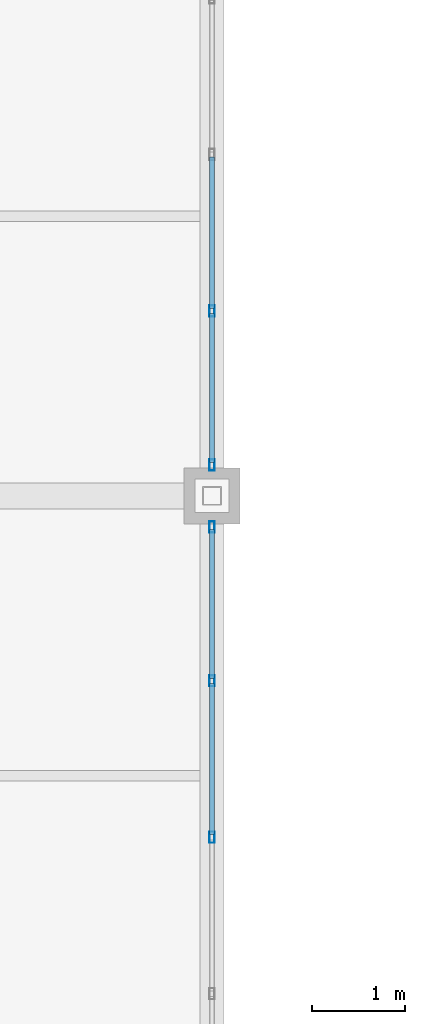
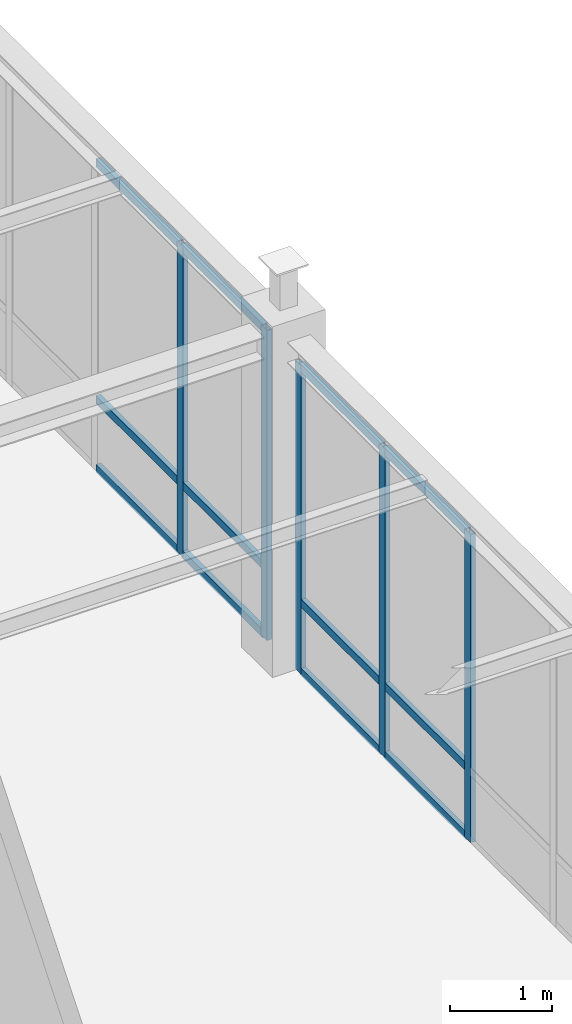
# One storey, part 25 of 36: 17 members, 2 elements without a shape of their own.
"""IFC4 building model written with IfcOpenShell, lengths in metres."""

from ifc_helpers import new_model, si_unit, direction, frame, origin, origin_2d, place, context, subcontext, project, spatial, hollow_rectangle, extrude, material, material_profile, profile_set, type_object, element, aggregate, save


model = new_model("IFC4")

# Units and contexts
model_context = context("Model", 3, precision=1e-05, world=origin(), true_north=direction((0.0, 1.0)))
body_context = subcontext(model_context, "Body", "Model", "MODEL_VIEW")
ifc_project = project(units=[si_unit("LENGTHUNIT", "METRE"), si_unit("AREAUNIT", "SQUARE_METRE"), si_unit("VOLUMEUNIT", "CUBIC_METRE"), si_unit("PLANEANGLEUNIT", "RADIAN"), si_unit("MASSUNIT", "GRAM", prefix="KILO")], contexts=[model_context])

# Site, building, storey
site_placement = place(None, origin())
site = spatial("IfcSite", under=ifc_project, at=site_placement, CompositionType="ELEMENT")
building_placement = place(site_placement, origin())
building = spatial("IfcBuilding", under=site, at=building_placement, Name="Lykobir Media Centre", CompositionType="ELEMENT")
storey_placement = place(building_placement, frame((0.0, 0.0, 27.60009765625)))
storey = spatial("IfcBuildingStorey", under=building, at=storey_placement, Name="L06", CompositionType="ELEMENT", Elevation=27.60009765625)

# Curtain wall, members
ifc_material = material(Name="Anodized Aluminium AW-6060", Category="aluminium")
curtain_wall_type = type_object("IfcCurtainWallType", Name="CW-COURT-B", PredefinedType="NOTDEFINED", material=ifc_material)
curtain_wall_1_placement = place(storey_placement, origin())
curtain_wall_1 = element("IfcCurtainWall", 1, at=curtain_wall_1_placement, inside=storey, type_object=curtain_wall_type, Name="Curtain wall CW2-L06-0211", PredefinedType="NOTDEFINED")
ifc_material_profile_1 = material_profile(ifc_material, hollow_rectangle(XDim=0.054931640625, YDim=0.1201171875, WallThickness=0.003173828125, at=origin_2d()), Name="ALU MULLION 55x120")
ifc_profile_set_1 = profile_set([ifc_material_profile_1], Name="Anodized Aluminium AW-6060")
member_type_1 = type_object("IfcMemberType", Name="CWM-120", PredefinedType="MULLION", material=ifc_profile_set_1)
member_1_placement = place(storey_placement, frame((36.0, 35.66748046875, 0.0), z_axis=(0.0, 0.0, 1.0), x_axis=(1.0, 0.0, 0.0)))
member_1 = element("IfcMember", 2, at=member_1_placement, type_object=member_type_1, Name="CW2-L06-0211 mullion 1", PredefinedType="MULLION", context=body_context, shape_type="SweptSolid", body=[
    extrude(hollow_rectangle(XDim=0.054931640625, YDim=0.1201171875, WallThickness=0.003173828125, at=origin_2d()), origin(), (0.0, 0.0, 1.0), 3.69287109375),
])
member_2_placement = place(storey_placement, frame((36.0, 34.01708984375, 0.0), z_axis=(0.0, 0.0, 1.0), x_axis=(1.0, 0.0, 0.0)))
member_2 = element("IfcMember", 3, at=member_2_placement, type_object=member_type_1, Name="CW2-L06-0211 mullion 2", PredefinedType="MULLION", context=body_context, shape_type="SweptSolid", body=[
    extrude(hollow_rectangle(XDim=0.054931640625, YDim=0.1201171875, WallThickness=0.003173828125, at=origin_2d()), origin(), (0.0, 0.0, 1.0), 3.69287109375),
])
member_3_placement = place(storey_placement, frame((36.0, 32.339111328125, 0.0), z_axis=(0.0, 0.0, 1.0), x_axis=(1.0, 0.0, 0.0)))
member_3 = element("IfcMember", 4, at=member_3_placement, type_object=member_type_1, Name="CW2-L06-0211 mullion 3", PredefinedType="MULLION", context=body_context, shape_type="SweptSolid", body=[
    extrude(hollow_rectangle(XDim=0.054931640625, YDim=0.1201171875, WallThickness=0.003173828125, at=origin_2d()), origin(), (0.0, 0.0, 1.0), 3.69287109375),
])

curtain_wall_2_placement = place(storey_placement, origin())
curtain_wall_2 = element("IfcCurtainWall", 5, at=curtain_wall_2_placement, inside=storey, type_object=curtain_wall_type, Name="Curtain wall CW2-L06-0212", PredefinedType="NOTDEFINED")
member_4_placement = place(storey_placement, frame((36.0, 37.98291015625, 0.0), z_axis=(0.0, 0.0, 1.0), x_axis=(1.0, 0.0, 0.0)))
member_4 = element("IfcMember", 6, at=member_4_placement, type_object=member_type_1, Name="CW2-L06-0212 mullion 5", PredefinedType="MULLION", context=body_context, shape_type="SweptSolid", body=[
    extrude(hollow_rectangle(XDim=0.054931640625, YDim=0.1201171875, WallThickness=0.003173828125, at=origin_2d()), origin(), (0.0, 0.0, 1.0), 3.71484375),
])
member_5_placement = place(storey_placement, frame((36.0, 36.33251953125, 0.0), z_axis=(0.0, 0.0, 1.0), x_axis=(1.0, 0.0, 0.0)))
member_5 = element("IfcMember", 7, at=member_5_placement, type_object=member_type_1, Name="CW2-L06-0212 mullion 6", PredefinedType="MULLION", context=body_context, shape_type="SweptSolid", body=[
    extrude(hollow_rectangle(XDim=0.054931640625, YDim=0.1201171875, WallThickness=0.003173828125, at=origin_2d()), origin(), (0.0, 0.0, 1.0), 3.71484375),
])

# Member
ifc_material_profile_2 = material_profile(ifc_material, hollow_rectangle(XDim=0.054931640625, YDim=0.094970703125, WallThickness=0.0029296875, at=origin_2d()), Name="ALU TRANSOM 55x95")
ifc_profile_set_2 = profile_set([ifc_material_profile_2], Name="Anodized Aluminium AW-6060")
member_type_2 = type_object("IfcMemberType", Name="CWT-095", PredefinedType="USERDEFINED", material=ifc_profile_set_2)
member_6_placement = place(storey_placement, frame((36.0, 35.639892578125, 0.02734375), z_axis=(0.0, -1.0, 0.0), x_axis=(1.0, 0.0, 0.0)))
member_6 = element("IfcMember", 8, at=member_6_placement, type_object=member_type_2, Name="CW2-L06-0211 transom 1.1", ObjectType="TRANSOM", PredefinedType="USERDEFINED", context=body_context, shape_type="SweptSolid", body=[
    extrude(hollow_rectangle(XDim=0.054931640625, YDim=0.094970703125, WallThickness=0.0029296875, at=origin_2d()), origin(), (0.0, 0.0, 1.0), 1.595458984375),
])

member_7_placement = place(storey_placement, frame((36.0, 35.639892578125, 0.849853515625), z_axis=(0.0, -1.0, 0.0), x_axis=(1.0, 0.0, 0.0)))
member_7 = element("IfcMember", 9, at=member_7_placement, type_object=member_type_2, Name="CW2-L06-0211 transom 1.2", ObjectType="TRANSOM", PredefinedType="USERDEFINED", context=body_context, shape_type="SweptSolid", body=[
    extrude(hollow_rectangle(XDim=0.054931640625, YDim=0.094970703125, WallThickness=0.0029296875, at=origin_2d()), origin(), (0.0, 0.0, 1.0), 1.595458984375),
])

member_8_placement = place(storey_placement, frame((36.0, 35.639892578125, 3.665283203125), z_axis=(0.0, -1.0, 0.0), x_axis=(1.0, 0.0, 0.0)))
member_8 = element("IfcMember", 10, at=member_8_placement, type_object=member_type_2, Name="CW2-L06-0211 transom 1.3", ObjectType="TRANSOM", PredefinedType="USERDEFINED", context=body_context, shape_type="SweptSolid", body=[
    extrude(hollow_rectangle(XDim=0.054931640625, YDim=0.094970703125, WallThickness=0.0029296875, at=origin_2d()), origin(), (0.0, 0.0, 1.0), 1.595458984375),
])

member_9_placement = place(storey_placement, frame((36.0, 33.989501953125, 0.02734375), z_axis=(0.0, -1.0, 0.0), x_axis=(1.0, 0.0, 0.0)))
member_9 = element("IfcMember", 11, at=member_9_placement, type_object=member_type_2, Name="CW2-L06-0211 transom 2.1", ObjectType="TRANSOM", PredefinedType="USERDEFINED", context=body_context, shape_type="SweptSolid", body=[
    extrude(hollow_rectangle(XDim=0.054931640625, YDim=0.094970703125, WallThickness=0.0029296875, at=origin_2d()), origin(), (0.0, 0.0, 1.0), 1.623046875),
])

member_10_placement = place(storey_placement, frame((36.0, 33.989501953125, 0.849853515625), z_axis=(0.0, -1.0, 0.0), x_axis=(1.0, 0.0, 0.0)))
member_10 = element("IfcMember", 12, at=member_10_placement, type_object=member_type_2, Name="CW2-L06-0211 transom 2.2", ObjectType="TRANSOM", PredefinedType="USERDEFINED", context=body_context, shape_type="SweptSolid", body=[
    extrude(hollow_rectangle(XDim=0.054931640625, YDim=0.094970703125, WallThickness=0.0029296875, at=origin_2d()), origin(), (0.0, 0.0, 1.0), 1.623046875),
])

member_11_placement = place(storey_placement, frame((36.0, 33.989501953125, 3.665283203125), z_axis=(0.0, -1.0, 0.0), x_axis=(1.0, 0.0, 0.0)))
member_11 = element("IfcMember", 13, at=member_11_placement, type_object=member_type_2, Name="CW2-L06-0211 transom 2.3", ObjectType="TRANSOM", PredefinedType="USERDEFINED", context=body_context, shape_type="SweptSolid", body=[
    extrude(hollow_rectangle(XDim=0.054931640625, YDim=0.094970703125, WallThickness=0.0029296875, at=origin_2d()), origin(), (0.0, 0.0, 1.0), 1.623046875),
])

aggregate(curtain_wall_1, [member_1, member_2, member_3, member_6, member_7, member_8, member_9, member_10, member_11])

member_12_placement = place(storey_placement, frame((36.0, 39.633544921875, 0.02734375), z_axis=(0.0, -1.0, 0.0), x_axis=(1.0, 0.0, 0.0)))
member_12 = element("IfcMember", 14, at=member_12_placement, type_object=member_type_2, Name="CW2-L06-0212 transom 4.1", ObjectType="TRANSOM", PredefinedType="USERDEFINED", context=body_context, shape_type="SweptSolid", body=[
    extrude(hollow_rectangle(XDim=0.054931640625, YDim=0.094970703125, WallThickness=0.0029296875, at=origin_2d()), origin(), (0.0, 0.0, 1.0), 1.623046875),
])

member_13_placement = place(storey_placement, frame((36.0, 39.633544921875, 0.849853515625), z_axis=(0.0, -1.0, 0.0), x_axis=(1.0, 0.0, 0.0)))
member_13 = element("IfcMember", 15, at=member_13_placement, type_object=member_type_2, Name="CW2-L06-0212 transom 4.2", ObjectType="TRANSOM", PredefinedType="USERDEFINED", context=body_context, shape_type="SweptSolid", body=[
    extrude(hollow_rectangle(XDim=0.054931640625, YDim=0.094970703125, WallThickness=0.0029296875, at=origin_2d()), origin(), (0.0, 0.0, 1.0), 1.623046875),
])

member_14_placement = place(storey_placement, frame((36.0, 39.633544921875, 3.6875), z_axis=(0.0, -1.0, 0.0), x_axis=(1.0, 0.0, 0.0)))
member_14 = element("IfcMember", 16, at=member_14_placement, type_object=member_type_2, Name="CW2-L06-0212 transom 4.3", ObjectType="TRANSOM", PredefinedType="USERDEFINED", context=body_context, shape_type="SweptSolid", body=[
    extrude(hollow_rectangle(XDim=0.054931640625, YDim=0.094970703125, WallThickness=0.0029296875, at=origin_2d()), origin(), (0.0, 0.0, 1.0), 1.623046875),
])

member_15_placement = place(storey_placement, frame((36.0, 37.95556640625, 0.02734375), z_axis=(0.0, -1.0, 0.0), x_axis=(1.0, 0.0, 0.0)))
member_15 = element("IfcMember", 17, at=member_15_placement, type_object=member_type_2, Name="CW2-L06-0212 transom 5.1", ObjectType="TRANSOM", PredefinedType="USERDEFINED", context=body_context, shape_type="SweptSolid", body=[
    extrude(hollow_rectangle(XDim=0.054931640625, YDim=0.094970703125, WallThickness=0.0029296875, at=origin_2d()), origin(), (0.0, 0.0, 1.0), 1.595458984375),
])

member_16_placement = place(storey_placement, frame((36.0, 37.95556640625, 0.849853515625), z_axis=(0.0, -1.0, 0.0), x_axis=(1.0, 0.0, 0.0)))
member_16 = element("IfcMember", 18, at=member_16_placement, type_object=member_type_2, Name="CW2-L06-0212 transom 5.2", ObjectType="TRANSOM", PredefinedType="USERDEFINED", context=body_context, shape_type="SweptSolid", body=[
    extrude(hollow_rectangle(XDim=0.054931640625, YDim=0.094970703125, WallThickness=0.0029296875, at=origin_2d()), origin(), (0.0, 0.0, 1.0), 1.595458984375),
])

member_17_placement = place(storey_placement, frame((36.0, 37.95556640625, 3.6875), z_axis=(0.0, -1.0, 0.0), x_axis=(1.0, 0.0, 0.0)))
member_17 = element("IfcMember", 19, at=member_17_placement, type_object=member_type_2, Name="CW2-L06-0212 transom 5.3", ObjectType="TRANSOM", PredefinedType="USERDEFINED", context=body_context, shape_type="SweptSolid", body=[
    extrude(hollow_rectangle(XDim=0.054931640625, YDim=0.094970703125, WallThickness=0.0029296875, at=origin_2d()), origin(), (0.0, 0.0, 1.0), 1.595458984375),
])

aggregate(curtain_wall_2, [member_4, member_5, member_12, member_13, member_14, member_15, member_16, member_17])

save(model, "model.ifc")
